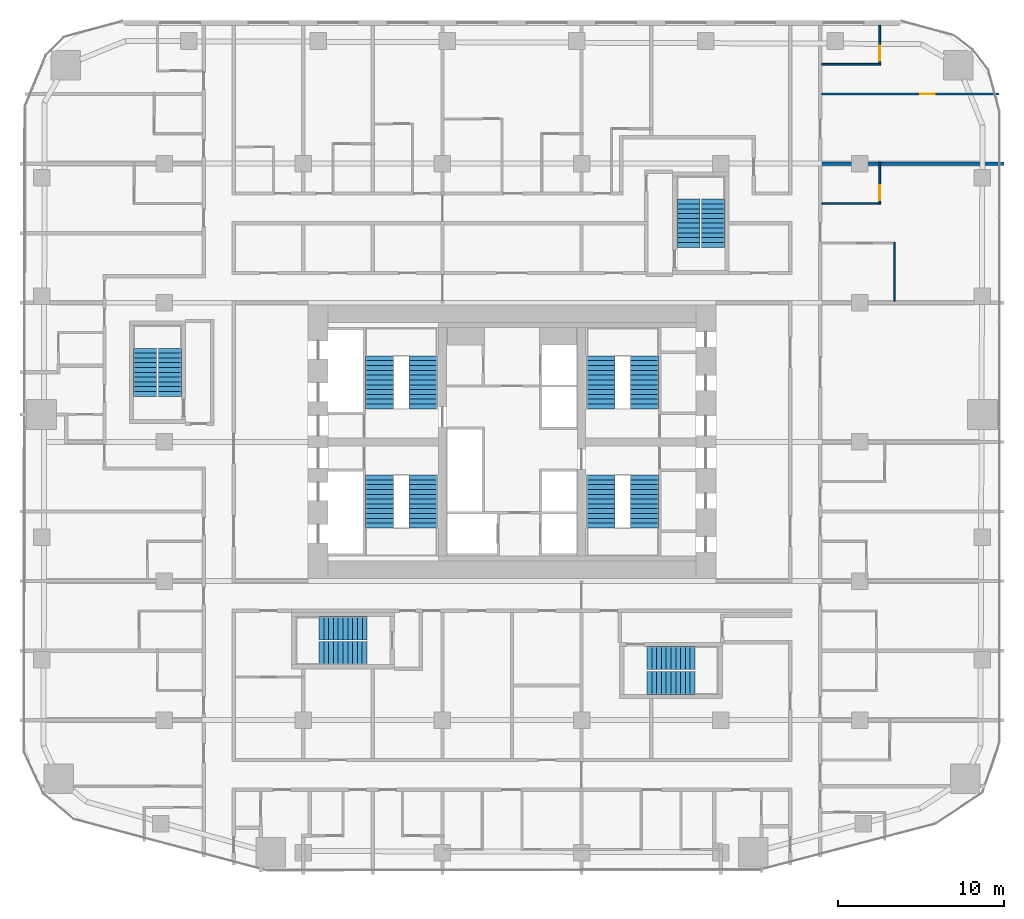
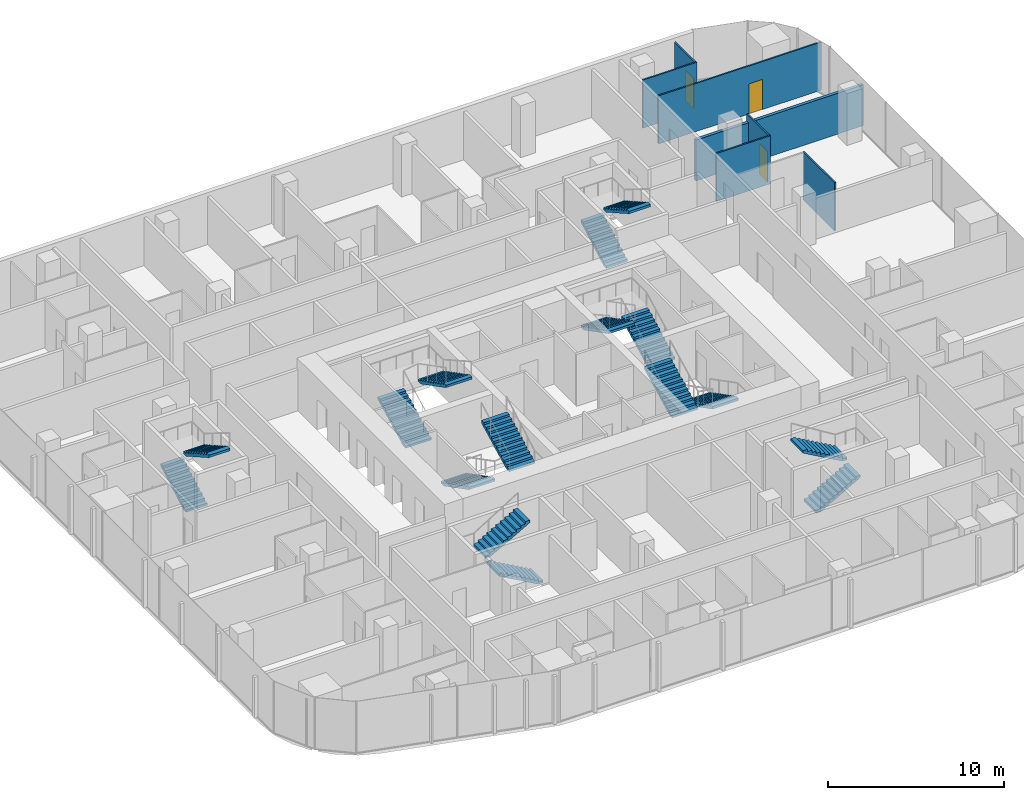
# One storey, part 24 of 26: 16 stair flights, 7 walls, 3 doors, 3 openings, 8 elements without a shape of their own.
"""IFC4 building model written with IfcOpenShell, lengths in metres."""

from ifc_helpers import new_model, si_unit, direction, frame, frame_2d, origin, place, context, subcontext, project, spatial, polyline, rectangle, outline, extrude, material, layer, layer_set, type_object, element, fill, aggregate, save


model = new_model("IFC4")

# Units and contexts
model_context = context("Model", 3, precision=1e-05, world=origin(), true_north=direction((0.0, 1.0)))
body_context = subcontext(model_context, "Body", "Model", "MODEL_VIEW")
ifc_project = project(units=[si_unit("LENGTHUNIT", "METRE"), si_unit("AREAUNIT", "SQUARE_METRE"), si_unit("VOLUMEUNIT", "CUBIC_METRE"), si_unit("PLANEANGLEUNIT", "RADIAN"), si_unit("MASSUNIT", "GRAM", prefix="KILO")], contexts=[model_context])

# Site, building, storey
site_placement = place(None, origin())
site = spatial("IfcSite", under=ifc_project, at=site_placement, CompositionType="ELEMENT")
building_placement = place(site_placement, origin())
building = spatial("IfcBuilding", under=site, at=building_placement, Name="Marenta Gate Hotel Tower", CompositionType="ELEMENT")
storey_placement = place(building_placement, frame((0.0, 0.0, 58.10009765625)))
storey = spatial("IfcBuildingStorey", under=building, at=storey_placement, Name="L12", CompositionType="ELEMENT", Elevation=58.10009765625)

# Wall
ifc_material_1 = material(Name="Gypsum board on steel stud", Category="steel")
ifc_layer_1 = layer(ifc_material_1, 0.10009765625)
ifc_layer_set_1 = layer_set([ifc_layer_1], Name="Gypsum board on steel stud")
wall_type_1 = type_object("IfcWallType", Name="Room partition 100", PredefinedType="PARTITIONING", material=ifc_layer_set_1)
wall_1_placement = place(storey_placement, frame((23.10009765625, 16.89990234375, 0.0), z_axis=(0.0, 0.0, 1.0), x_axis=(0.0, 1.0, 0.0)))
element("IfcWall", 1, at=wall_1_placement, inside=storey, type_object=wall_type_1, Name="L12-PTN-W001", PredefinedType="PARTITIONING", context=body_context, shape_type="SweptSolid", body=[
    extrude(rectangle(XDim=3.550048828125, YDim=0.10009765625, at=frame_2d((1.77490234375, 0.0))), origin(), (0.0, 0.0, 1.0), 3.33984375),
])

# Wall, opening, door
wall_2_placement = place(storey_placement, frame((22.199951171875, 22.85009765625, 0.0), z_axis=(0.0, 0.0, 1.0), x_axis=(0.0, 1.0, 0.0)))
wall_2 = element("IfcWall", 2, at=wall_2_placement, inside=storey, type_object=wall_type_1, Name="L12-PTN-W005", PredefinedType="PARTITIONING", context=body_context, shape_type="SweptSolid", body=[
    extrude(rectangle(XDim=2.449951171875, YDim=0.10009765625, at=frame_2d((1.22509765625, 0.0))), origin(), (0.0, 0.0, 1.0), 3.33984375),
])
opening_1_placement = place(wall_2_placement, frame((0.14990234375, 0.0, 0.0)))
opening_1 = element("IfcOpeningElement", 3, at=opening_1_placement, cuts=wall_2, Name="Opening G04-25", PredefinedType="OPENING", context=body_context, shape_type="SweptSolid", body=[
    extrude(rectangle(XDim=0.89990234375, YDim=2.10009765625, at=frame_2d((0.449951171875, 1.050048828125))), frame((0.0, 0.050048828125, 0.0), z_axis=(0.0, -1.0, 0.0), x_axis=(1.0, 0.0, 0.0)), (0.0, 0.0, 1.0), 0.10009765625),
])
ifc_material_2 = material(Name="Timber door leaf", Category="wood")
door_type_1 = type_object("IfcDoorType", Name="Room inner door 900x2100", OperationType="NOTDEFINED", PredefinedType="DOOR", material=ifc_material_2)
door_1_placement = place(opening_1_placement, origin())
door_1 = element("IfcDoor", 4, at=door_1_placement, inside=storey, type_object=door_type_1, Name="L12-PD-D025", OperationType="SINGLE_SWING_LEFT", OverallHeight=2.10009765625, OverallWidth=0.89990234375, PredefinedType="DOOR", context=body_context, shape_type="SweptSolid", body=[
    extrude(rectangle(XDim=0.89990234375, YDim=2.10009765625, at=frame_2d((0.449951171875, 1.050048828125))), frame((0.0, 0.02490234375, 0.0), z_axis=(0.0, -1.0, 0.0), x_axis=(1.0, 0.0, 0.0)), (0.0, 0.0, 1.0), 0.050048828125),
])
fill(opening_1, door_1)

wall_3_placement = place(storey_placement, frame((22.199951171875, 31.25, 0.0), z_axis=(0.0, 0.0, 1.0), x_axis=(0.0, 1.0, 0.0)))
wall_3 = element("IfcWall", 5, at=wall_3_placement, inside=storey, type_object=wall_type_1, Name="L12-PTN-W006", PredefinedType="PARTITIONING", context=body_context, shape_type="SweptSolid", body=[
    extrude(rectangle(XDim=2.2900390625, YDim=0.10009765625, at=frame_2d((1.14501953125, 0.0))), origin(), (0.0, 0.0, 1.0), 3.33984375),
])
opening_2_placement = place(wall_3_placement, frame((0.14990234375, 0.0, 0.0)))
opening_2 = element("IfcOpeningElement", 6, at=opening_2_placement, cuts=wall_3, Name="Opening G04-28", PredefinedType="OPENING", context=body_context, shape_type="SweptSolid", body=[
    extrude(rectangle(XDim=0.89990234375, YDim=2.10009765625, at=frame_2d((0.449951171875, 1.050048828125))), frame((0.0, 0.050048828125, 0.0), z_axis=(0.0, -1.0, 0.0), x_axis=(1.0, 0.0, 0.0)), (0.0, 0.0, 1.0), 0.10009765625),
])
ifc_material_3 = material(Name="Timber door leaf", Category="wood")
door_type_2 = type_object("IfcDoorType", Name="Guest bathroom door 900x2100", OperationType="NOTDEFINED", PredefinedType="DOOR", material=ifc_material_3)
door_2_placement = place(opening_2_placement, origin())
door_2 = element("IfcDoor", 7, at=door_2_placement, inside=storey, type_object=door_type_2, Name="L12-PD-D028", OperationType="SINGLE_SWING_LEFT", OverallHeight=2.10009765625, OverallWidth=0.89990234375, PredefinedType="DOOR", context=body_context, shape_type="SweptSolid", body=[
    extrude(rectangle(XDim=0.89990234375, YDim=2.10009765625, at=frame_2d((0.449951171875, 1.050048828125))), frame((0.0, 0.02490234375, 0.0), z_axis=(0.0, -1.0, 0.0), x_axis=(1.0, 0.0, 0.0)), (0.0, 0.0, 1.0), 0.050048828125),
])
fill(opening_2, door_2)

# Wall
wall_4_placement = place(storey_placement, frame((18.699951171875, 22.800048828125, 0.0), z_axis=(0.0, 0.0, 1.0), x_axis=(1.0, 0.0, 0.0)))
element("IfcWall", 8, at=wall_4_placement, inside=storey, type_object=wall_type_1, Name="L12-PTN-W134", PredefinedType="PARTITIONING", context=body_context, shape_type="SweptSolid", body=[
    extrude(rectangle(XDim=3.550048828125, YDim=0.10009765625, at=frame_2d((1.77490234375, 0.0))), origin(), (0.0, 0.0, 1.0), 3.33984375),
])

# Wall, opening, door
wall_5_placement = place(storey_placement, frame((18.699951171875, 29.39990234375, 0.0), z_axis=(0.0, 0.0, 1.0), x_axis=(1.0, 0.0, 0.0)))
wall_5 = element("IfcWall", 9, at=wall_5_placement, inside=storey, type_object=wall_type_1, Name="L12-PTN-W153", PredefinedType="PARTITIONING", context=body_context, shape_type="SweptSolid", body=[
    extrude(rectangle(XDim=10.693115234375, YDim=0.10009765625, at=frame_2d((5.3466796875, 0.0))), origin(), (0.0, 0.0, 1.0), 3.33984375),
])
opening_3_placement = place(wall_5_placement, frame((5.929931640625, 0.0, 0.0)))
opening_3 = element("IfcOpeningElement", 10, at=opening_3_placement, cuts=wall_5, Name="Opening G04-27", PredefinedType="OPENING", context=body_context, shape_type="SweptSolid", body=[
    extrude(rectangle(XDim=0.89990234375, YDim=2.10009765625, at=frame_2d((0.449951171875, 1.050048828125))), frame((0.0, 0.050048828125, 0.0), z_axis=(0.0, -1.0, 0.0), x_axis=(1.0, 0.0, 0.0)), (0.0, 0.0, 1.0), 0.10009765625),
])
door_3_placement = place(opening_3_placement, origin())
door_3 = element("IfcDoor", 11, at=door_3_placement, inside=storey, type_object=door_type_1, Name="L12-PD-D027", OperationType="SINGLE_SWING_RIGHT", OverallHeight=2.10009765625, OverallWidth=0.89990234375, PredefinedType="DOOR", context=body_context, shape_type="SweptSolid", body=[
    extrude(rectangle(XDim=0.89990234375, YDim=2.10009765625, at=frame_2d((0.449951171875, 1.050048828125))), frame((0.0, 0.02490234375, 0.0), z_axis=(0.0, -1.0, 0.0), x_axis=(1.0, 0.0, 0.0)), (0.0, 0.0, 1.0), 0.050048828125),
])
fill(opening_3, door_3)

# Walls
wall_6_placement = place(storey_placement, frame((18.699951171875, 31.199951171875, 0.0), z_axis=(0.0, 0.0, 1.0), x_axis=(1.0, 0.0, 0.0)))
element("IfcWall", 12, at=wall_6_placement, inside=storey, type_object=wall_type_1, Name="L12-PTN-W155", PredefinedType="PARTITIONING", context=body_context, shape_type="SweptSolid", body=[
    extrude(rectangle(XDim=3.550048828125, YDim=0.10009765625, at=frame_2d((1.77490234375, 0.0))), origin(), (0.0, 0.0, 1.0), 3.33984375),
])
ifc_material_4 = material(Name="Gypsum board on steel stud", Category="steel")
ifc_layer_2 = layer(ifc_material_4, 0.199951171875)
ifc_layer_set_2 = layer_set([ifc_layer_2], Name="Gypsum board on steel stud")
wall_type_2 = type_object("IfcWallType", Name="Room party wall 200 EI 60", PredefinedType="PARTITIONING", material=ifc_layer_set_2)
wall_7_placement = place(storey_placement, frame((18.699951171875, 25.199951171875, 0.0), z_axis=(0.0, 0.0, 1.0), x_axis=(1.0, 0.0, 0.0)))
element("IfcWall", 13, at=wall_7_placement, inside=storey, type_object=wall_type_2, Name="L12-PTN-W140", PredefinedType="PARTITIONING", context=body_context, shape_type="SweptSolid", body=[
    extrude(rectangle(XDim=11.0, YDim=0.199951171875, at=frame_2d((5.5, 0.0))), origin(), (0.0, 0.0, 1.0), 2.83984375),
])

# Stair, stair flights
ifc_material_5 = material(Name="Concrete C40", Category="concrete")
stair_type_1 = type_object("IfcStairType", Name="Core exit stair 1700 wide", PredefinedType="HALF_TURN_STAIR", material=ifc_material_5)
stair_1_placement = place(storey_placement, origin())
stair_1 = element("IfcStair", 14, at=stair_1_placement, inside=storey, type_object=stair_type_1, Name="Exit stair 1", PredefinedType="HALF_TURN_STAIR")
ifc_material_6 = material(Name="Concrete C40", Category="concrete")
stair_flight_type_1 = type_object("IfcStairFlightType", Name="Core stair flight 1700 riser 150.0 going 290", PredefinedType="STRAIGHT", material=ifc_material_6)
stair_flight_1_placement = place(storey_placement, frame((-8.0, 6.39990234375, 0.0), z_axis=(0.0, 0.0, 1.0), x_axis=(0.0, -1.0, 0.0)))
stair_flight_1 = element("IfcStairFlight", 15, at=stair_flight_1_placement, type_object=stair_flight_type_1, Name="ST1 flight 1", NumberOfRisers=12, NumberOfTreads=11, PredefinedType="STRAIGHT", RiserHeight=0.15, TreadLength=0.29, context=body_context, shape_type="SweptSolid", body=[
    extrude(outline(polyline([(0.0, 0.0), (0.0, 0.14990234375), (0.2900390625, 0.14990234375), (0.2900390625, 0.300048828125), (0.580078125, 0.300048828125), (0.580078125, 0.449951171875), (0.8701171875, 0.449951171875), (0.8701171875, 0.60009765625), (1.159912109375, 0.60009765625), (1.159912109375, 0.75), (1.449951171875, 0.75), (1.449951171875, 0.89990234375), (1.739990234375, 0.89990234375), (1.739990234375, 1.050048828125), (2.030029296875, 1.050048828125), (2.030029296875, 1.199951171875), (2.320068359375, 1.199951171875), (2.320068359375, 1.35009765625), (2.610107421875, 1.35009765625), (2.610107421875, 1.5), (2.89990234375, 1.5), (2.89990234375, 1.64990234375), (3.18994140625, 1.64990234375), (3.18994140625, 1.800048828125), (3.18994140625, 1.481201171875), (0.326171875, 0.0), (0.0, 0.0)])), frame((0.0, 0.85009765625, 0.0), z_axis=(0.0, -1.0, 0.0), x_axis=(1.0, 0.0, 0.0)), (0.0, 0.0, 1.0), 1.699951171875),
])
stair_flight_2_placement = place(storey_placement, frame((-5.35009765625, 3.2099609375, 1.7998046875), z_axis=(0.0, 0.0, 1.0), x_axis=(0.0, 1.0, 0.0)))
stair_flight_2 = element("IfcStairFlight", 16, at=stair_flight_2_placement, type_object=stair_flight_type_1, Name="ST1 flight 2", NumberOfRisers=12, NumberOfTreads=11, PredefinedType="STRAIGHT", RiserHeight=0.15, TreadLength=0.29, context=body_context, shape_type="SweptSolid", body=[
    extrude(outline(polyline([(0.0, 0.0), (0.0, 0.14990234375), (0.2900390625, 0.14990234375), (0.2900390625, 0.300048828125), (0.580078125, 0.300048828125), (0.580078125, 0.449951171875), (0.8701171875, 0.449951171875), (0.8701171875, 0.60009765625), (1.159912109375, 0.60009765625), (1.159912109375, 0.75), (1.449951171875, 0.75), (1.449951171875, 0.89990234375), (1.739990234375, 0.89990234375), (1.739990234375, 1.050048828125), (2.030029296875, 1.050048828125), (2.030029296875, 1.199951171875), (2.320068359375, 1.199951171875), (2.320068359375, 1.35009765625), (2.610107421875, 1.35009765625), (2.610107421875, 1.5), (2.89990234375, 1.5), (2.89990234375, 1.64990234375), (3.18994140625, 1.64990234375), (3.18994140625, 1.800048828125), (3.18994140625, 1.481201171875), (0.326171875, 0.0), (0.0, 0.0)])), frame((0.0, 0.85009765625, 0.0), z_axis=(0.0, -1.0, 0.0), x_axis=(1.0, 0.0, 0.0)), (0.0, 0.0, 1.0), 1.699951171875),
])
aggregate(stair_1, [stair_flight_1, stair_flight_2])

stair_2_placement = place(storey_placement, origin())
stair_2 = element("IfcStair", 17, at=stair_2_placement, inside=storey, type_object=stair_type_1, Name="Exit stair 2", PredefinedType="HALF_TURN_STAIR")
stair_flight_3_placement = place(storey_placement, frame((-8.0, 10.39990234375, 0.0), z_axis=(0.0, 0.0, 1.0), x_axis=(0.0, 1.0, 0.0)))
stair_flight_3 = element("IfcStairFlight", 18, at=stair_flight_3_placement, type_object=stair_flight_type_1, Name="ST2 flight 1", NumberOfRisers=12, NumberOfTreads=11, PredefinedType="STRAIGHT", RiserHeight=0.15, TreadLength=0.29, context=body_context, shape_type="SweptSolid", body=[
    extrude(outline(polyline([(0.0, 0.0), (0.0, 0.14990234375), (0.2900390625, 0.14990234375), (0.2900390625, 0.300048828125), (0.580078125, 0.300048828125), (0.580078125, 0.449951171875), (0.8701171875, 0.449951171875), (0.8701171875, 0.60009765625), (1.159912109375, 0.60009765625), (1.159912109375, 0.75), (1.449951171875, 0.75), (1.449951171875, 0.89990234375), (1.739990234375, 0.89990234375), (1.739990234375, 1.050048828125), (2.030029296875, 1.050048828125), (2.030029296875, 1.199951171875), (2.320068359375, 1.199951171875), (2.320068359375, 1.35009765625), (2.610107421875, 1.35009765625), (2.610107421875, 1.5), (2.89990234375, 1.5), (2.89990234375, 1.64990234375), (3.18994140625, 1.64990234375), (3.18994140625, 1.800048828125), (3.18994140625, 1.481201171875), (0.326171875, 0.0), (0.0, 0.0)])), frame((0.0, 0.85009765625, 0.0), z_axis=(0.0, -1.0, 0.0), x_axis=(1.0, 0.0, 0.0)), (0.0, 0.0, 1.0), 1.699951171875),
])
stair_flight_4_placement = place(storey_placement, frame((-5.35009765625, 13.590087890625, 1.7998046875), z_axis=(0.0, 0.0, 1.0), x_axis=(0.0, -1.0, 0.0)))
stair_flight_4 = element("IfcStairFlight", 19, at=stair_flight_4_placement, type_object=stair_flight_type_1, Name="ST2 flight 2", NumberOfRisers=12, NumberOfTreads=11, PredefinedType="STRAIGHT", RiserHeight=0.15, TreadLength=0.29, context=body_context, shape_type="SweptSolid", body=[
    extrude(outline(polyline([(0.0, 0.0), (0.0, 0.14990234375), (0.2900390625, 0.14990234375), (0.2900390625, 0.300048828125), (0.580078125, 0.300048828125), (0.580078125, 0.449951171875), (0.8701171875, 0.449951171875), (0.8701171875, 0.60009765625), (1.159912109375, 0.60009765625), (1.159912109375, 0.75), (1.449951171875, 0.75), (1.449951171875, 0.89990234375), (1.739990234375, 0.89990234375), (1.739990234375, 1.050048828125), (2.030029296875, 1.050048828125), (2.030029296875, 1.199951171875), (2.320068359375, 1.199951171875), (2.320068359375, 1.35009765625), (2.610107421875, 1.35009765625), (2.610107421875, 1.5), (2.89990234375, 1.5), (2.89990234375, 1.64990234375), (3.18994140625, 1.64990234375), (3.18994140625, 1.800048828125), (3.18994140625, 1.481201171875), (0.326171875, 0.0), (0.0, 0.0)])), frame((0.0, 0.85009765625, 0.0), z_axis=(0.0, -1.0, 0.0), x_axis=(1.0, 0.0, 0.0)), (0.0, 0.0, 1.0), 1.699951171875),
])
aggregate(stair_2, [stair_flight_3, stair_flight_4])

stair_3_placement = place(storey_placement, origin())
stair_3 = element("IfcStair", 20, at=stair_3_placement, inside=storey, type_object=stair_type_1, Name="Exit stair 3", PredefinedType="HALF_TURN_STAIR")
stair_flight_5_placement = place(storey_placement, frame((8.0, 6.39990234375, 0.0), z_axis=(0.0, 0.0, 1.0), x_axis=(0.0, -1.0, 0.0)))
stair_flight_5 = element("IfcStairFlight", 21, at=stair_flight_5_placement, type_object=stair_flight_type_1, Name="ST3 flight 1", NumberOfRisers=12, NumberOfTreads=11, PredefinedType="STRAIGHT", RiserHeight=0.15, TreadLength=0.29, context=body_context, shape_type="SweptSolid", body=[
    extrude(outline(polyline([(0.0, 0.0), (0.0, 0.14990234375), (0.2900390625, 0.14990234375), (0.2900390625, 0.300048828125), (0.580078125, 0.300048828125), (0.580078125, 0.449951171875), (0.8701171875, 0.449951171875), (0.8701171875, 0.60009765625), (1.159912109375, 0.60009765625), (1.159912109375, 0.75), (1.449951171875, 0.75), (1.449951171875, 0.89990234375), (1.739990234375, 0.89990234375), (1.739990234375, 1.050048828125), (2.030029296875, 1.050048828125), (2.030029296875, 1.199951171875), (2.320068359375, 1.199951171875), (2.320068359375, 1.35009765625), (2.610107421875, 1.35009765625), (2.610107421875, 1.5), (2.89990234375, 1.5), (2.89990234375, 1.64990234375), (3.18994140625, 1.64990234375), (3.18994140625, 1.800048828125), (3.18994140625, 1.481201171875), (0.326171875, 0.0), (0.0, 0.0)])), frame((0.0, 0.85009765625, 0.0), z_axis=(0.0, -1.0, 0.0), x_axis=(1.0, 0.0, 0.0)), (0.0, 0.0, 1.0), 1.699951171875),
])
stair_flight_6_placement = place(storey_placement, frame((5.35009765625, 3.2099609375, 1.7998046875), z_axis=(0.0, 0.0, 1.0), x_axis=(0.0, 1.0, 0.0)))
stair_flight_6 = element("IfcStairFlight", 22, at=stair_flight_6_placement, type_object=stair_flight_type_1, Name="ST3 flight 2", NumberOfRisers=12, NumberOfTreads=11, PredefinedType="STRAIGHT", RiserHeight=0.15, TreadLength=0.29, context=body_context, shape_type="SweptSolid", body=[
    extrude(outline(polyline([(0.0, 0.0), (0.0, 0.14990234375), (0.2900390625, 0.14990234375), (0.2900390625, 0.300048828125), (0.580078125, 0.300048828125), (0.580078125, 0.449951171875), (0.8701171875, 0.449951171875), (0.8701171875, 0.60009765625), (1.159912109375, 0.60009765625), (1.159912109375, 0.75), (1.449951171875, 0.75), (1.449951171875, 0.89990234375), (1.739990234375, 0.89990234375), (1.739990234375, 1.050048828125), (2.030029296875, 1.050048828125), (2.030029296875, 1.199951171875), (2.320068359375, 1.199951171875), (2.320068359375, 1.35009765625), (2.610107421875, 1.35009765625), (2.610107421875, 1.5), (2.89990234375, 1.5), (2.89990234375, 1.64990234375), (3.18994140625, 1.64990234375), (3.18994140625, 1.800048828125), (3.18994140625, 1.481201171875), (0.326171875, 0.0), (0.0, 0.0)])), frame((0.0, 0.85009765625, 0.0), z_axis=(0.0, -1.0, 0.0), x_axis=(1.0, 0.0, 0.0)), (0.0, 0.0, 1.0), 1.699951171875),
])
aggregate(stair_3, [stair_flight_5, stair_flight_6])

stair_4_placement = place(storey_placement, origin())
stair_4 = element("IfcStair", 23, at=stair_4_placement, inside=storey, type_object=stair_type_1, Name="Exit stair 4", PredefinedType="HALF_TURN_STAIR")
stair_flight_7_placement = place(storey_placement, frame((8.0, 10.39990234375, 0.0), z_axis=(0.0, 0.0, 1.0), x_axis=(0.0, 1.0, 0.0)))
stair_flight_7 = element("IfcStairFlight", 24, at=stair_flight_7_placement, type_object=stair_flight_type_1, Name="ST4 flight 1", NumberOfRisers=12, NumberOfTreads=11, PredefinedType="STRAIGHT", RiserHeight=0.15, TreadLength=0.29, context=body_context, shape_type="SweptSolid", body=[
    extrude(outline(polyline([(0.0, 0.0), (0.0, 0.14990234375), (0.2900390625, 0.14990234375), (0.2900390625, 0.300048828125), (0.580078125, 0.300048828125), (0.580078125, 0.449951171875), (0.8701171875, 0.449951171875), (0.8701171875, 0.60009765625), (1.159912109375, 0.60009765625), (1.159912109375, 0.75), (1.449951171875, 0.75), (1.449951171875, 0.89990234375), (1.739990234375, 0.89990234375), (1.739990234375, 1.050048828125), (2.030029296875, 1.050048828125), (2.030029296875, 1.199951171875), (2.320068359375, 1.199951171875), (2.320068359375, 1.35009765625), (2.610107421875, 1.35009765625), (2.610107421875, 1.5), (2.89990234375, 1.5), (2.89990234375, 1.64990234375), (3.18994140625, 1.64990234375), (3.18994140625, 1.800048828125), (3.18994140625, 1.481201171875), (0.326171875, 0.0), (0.0, 0.0)])), frame((0.0, 0.85009765625, 0.0), z_axis=(0.0, -1.0, 0.0), x_axis=(1.0, 0.0, 0.0)), (0.0, 0.0, 1.0), 1.699951171875),
])
stair_flight_8_placement = place(storey_placement, frame((5.35009765625, 13.590087890625, 1.7998046875), z_axis=(0.0, 0.0, 1.0), x_axis=(0.0, -1.0, 0.0)))
stair_flight_8 = element("IfcStairFlight", 25, at=stair_flight_8_placement, type_object=stair_flight_type_1, Name="ST4 flight 2", NumberOfRisers=12, NumberOfTreads=11, PredefinedType="STRAIGHT", RiserHeight=0.15, TreadLength=0.29, context=body_context, shape_type="SweptSolid", body=[
    extrude(outline(polyline([(0.0, 0.0), (0.0, 0.14990234375), (0.2900390625, 0.14990234375), (0.2900390625, 0.300048828125), (0.580078125, 0.300048828125), (0.580078125, 0.449951171875), (0.8701171875, 0.449951171875), (0.8701171875, 0.60009765625), (1.159912109375, 0.60009765625), (1.159912109375, 0.75), (1.449951171875, 0.75), (1.449951171875, 0.89990234375), (1.739990234375, 0.89990234375), (1.739990234375, 1.050048828125), (2.030029296875, 1.050048828125), (2.030029296875, 1.199951171875), (2.320068359375, 1.199951171875), (2.320068359375, 1.35009765625), (2.610107421875, 1.35009765625), (2.610107421875, 1.5), (2.89990234375, 1.5), (2.89990234375, 1.64990234375), (3.18994140625, 1.64990234375), (3.18994140625, 1.800048828125), (3.18994140625, 1.481201171875), (0.326171875, 0.0), (0.0, 0.0)])), frame((0.0, 0.85009765625, 0.0), z_axis=(0.0, -1.0, 0.0), x_axis=(1.0, 0.0, 0.0)), (0.0, 0.0, 1.0), 1.699951171875),
])
aggregate(stair_4, [stair_flight_7, stair_flight_8])

ifc_material_7 = material(Name="Concrete C40", Category="concrete")
stair_type_2 = type_object("IfcStairType", Name="Remote exit stair 1400 wide", PredefinedType="HALF_TURN_STAIR", material=ifc_material_7)
stair_5_placement = place(storey_placement, origin())
stair_5 = element("IfcStair", 26, at=stair_5_placement, inside=storey, type_object=stair_type_2, Name="Exit stair RS-Z1-1", PredefinedType="HALF_TURN_STAIR")
ifc_material_8 = material(Name="Concrete C40", Category="concrete")
stair_flight_type_2 = type_object("IfcStairFlightType", Name="Remote stair flight 1400 riser 163.6 going 290", PredefinedType="STRAIGHT", material=ifc_material_8)
stair_flight_9_placement = place(storey_placement, frame((8.14990234375, -6.14990234375, 0.0), z_axis=(0.0, 0.0, 1.0), x_axis=(1.0, 0.0, 0.0)))
stair_flight_9 = element("IfcStairFlight", 27, at=stair_flight_9_placement, type_object=stair_flight_type_2, Name="RS-Z1-1 flight 1", NumberOfRisers=11, NumberOfTreads=10, PredefinedType="STRAIGHT", RiserHeight=0.163636, TreadLength=0.29, context=body_context, shape_type="SweptSolid", body=[
    extrude(outline(polyline([(0.0, 0.0), (0.0, 0.16357421875), (0.2900390625, 0.16357421875), (0.2900390625, 0.327392578125), (0.580078125, 0.327392578125), (0.580078125, 0.490966796875), (0.8701171875, 0.490966796875), (0.8701171875, 0.654541015625), (1.159912109375, 0.654541015625), (1.159912109375, 0.818115234375), (1.449951171875, 0.818115234375), (1.449951171875, 0.98193359375), (1.739990234375, 0.98193359375), (1.739990234375, 1.1455078125), (2.030029296875, 1.1455078125), (2.030029296875, 1.30908203125), (2.320068359375, 1.30908203125), (2.320068359375, 1.47265625), (2.610107421875, 1.47265625), (2.610107421875, 1.636474609375), (2.89990234375, 1.636474609375), (2.89990234375, 1.800048828125), (2.89990234375, 1.46435546875), (0.304931640625, 0.0), (0.0, 0.0)])), frame((0.0, 0.699951171875, 0.0), z_axis=(0.0, -1.0, 0.0), x_axis=(1.0, 0.0, 0.0)), (0.0, 0.0, 1.0), 1.39990234375),
])
stair_flight_10_placement = place(storey_placement, frame((11.050048828125, -4.64990234375, 1.7998046875), z_axis=(0.0, 0.0, 1.0), x_axis=(-1.0, 0.0, 0.0)))
stair_flight_10 = element("IfcStairFlight", 28, at=stair_flight_10_placement, type_object=stair_flight_type_2, Name="RS-Z1-1 flight 2", NumberOfRisers=11, NumberOfTreads=10, PredefinedType="STRAIGHT", RiserHeight=0.163636, TreadLength=0.29, context=body_context, shape_type="SweptSolid", body=[
    extrude(outline(polyline([(0.0, 0.0), (0.0, 0.16357421875), (0.2900390625, 0.16357421875), (0.2900390625, 0.327392578125), (0.580078125, 0.327392578125), (0.580078125, 0.490966796875), (0.8701171875, 0.490966796875), (0.8701171875, 0.654541015625), (1.159912109375, 0.654541015625), (1.159912109375, 0.818115234375), (1.449951171875, 0.818115234375), (1.449951171875, 0.98193359375), (1.739990234375, 0.98193359375), (1.739990234375, 1.1455078125), (2.030029296875, 1.1455078125), (2.030029296875, 1.30908203125), (2.320068359375, 1.30908203125), (2.320068359375, 1.47265625), (2.610107421875, 1.47265625), (2.610107421875, 1.636474609375), (2.89990234375, 1.636474609375), (2.89990234375, 1.800048828125), (2.89990234375, 1.46435546875), (0.304931640625, 0.0), (0.0, 0.0)])), frame((0.0, 0.699951171875, 0.0), z_axis=(0.0, -1.0, 0.0), x_axis=(1.0, 0.0, 0.0)), (0.0, 0.0, 1.0), 1.39990234375),
])
aggregate(stair_5, [stair_flight_9, stair_flight_10])

stair_6_placement = place(storey_placement, origin())
stair_6 = element("IfcStair", 29, at=stair_6_placement, inside=storey, type_object=stair_type_2, Name="Exit stair RS-Z1-2", PredefinedType="HALF_TURN_STAIR")
stair_flight_11_placement = place(storey_placement, frame((-8.75, -4.35009765625, 0.0), z_axis=(0.0, 0.0, 1.0), x_axis=(-1.0, 0.0, 0.0)))
stair_flight_11 = element("IfcStairFlight", 30, at=stair_flight_11_placement, type_object=stair_flight_type_2, Name="RS-Z1-2 flight 1", NumberOfRisers=11, NumberOfTreads=10, PredefinedType="STRAIGHT", RiserHeight=0.163636, TreadLength=0.29, context=body_context, shape_type="SweptSolid", body=[
    extrude(outline(polyline([(0.0, 0.0), (0.0, 0.16357421875), (0.2900390625, 0.16357421875), (0.2900390625, 0.327392578125), (0.580078125, 0.327392578125), (0.580078125, 0.490966796875), (0.8701171875, 0.490966796875), (0.8701171875, 0.654541015625), (1.159912109375, 0.654541015625), (1.159912109375, 0.818115234375), (1.449951171875, 0.818115234375), (1.449951171875, 0.98193359375), (1.739990234375, 0.98193359375), (1.739990234375, 1.1455078125), (2.030029296875, 1.1455078125), (2.030029296875, 1.30908203125), (2.320068359375, 1.30908203125), (2.320068359375, 1.47265625), (2.610107421875, 1.47265625), (2.610107421875, 1.636474609375), (2.89990234375, 1.636474609375), (2.89990234375, 1.800048828125), (2.89990234375, 1.46435546875), (0.304931640625, 0.0), (0.0, 0.0)])), frame((0.0, 0.699951171875, 0.0), z_axis=(0.0, -1.0, 0.0), x_axis=(1.0, 0.0, 0.0)), (0.0, 0.0, 1.0), 1.39990234375),
])
stair_flight_12_placement = place(storey_placement, frame((-11.64990234375, -2.85009765625, 1.7998046875), z_axis=(0.0, 0.0, 1.0), x_axis=(1.0, 0.0, 0.0)))
stair_flight_12 = element("IfcStairFlight", 31, at=stair_flight_12_placement, type_object=stair_flight_type_2, Name="RS-Z1-2 flight 2", NumberOfRisers=11, NumberOfTreads=10, PredefinedType="STRAIGHT", RiserHeight=0.163636, TreadLength=0.29, context=body_context, shape_type="SweptSolid", body=[
    extrude(outline(polyline([(0.0, 0.0), (0.0, 0.16357421875), (0.2900390625, 0.16357421875), (0.2900390625, 0.327392578125), (0.580078125, 0.327392578125), (0.580078125, 0.490966796875), (0.8701171875, 0.490966796875), (0.8701171875, 0.654541015625), (1.159912109375, 0.654541015625), (1.159912109375, 0.818115234375), (1.449951171875, 0.818115234375), (1.449951171875, 0.98193359375), (1.739990234375, 0.98193359375), (1.739990234375, 1.1455078125), (2.030029296875, 1.1455078125), (2.030029296875, 1.30908203125), (2.320068359375, 1.30908203125), (2.320068359375, 1.47265625), (2.610107421875, 1.47265625), (2.610107421875, 1.636474609375), (2.89990234375, 1.636474609375), (2.89990234375, 1.800048828125), (2.89990234375, 1.46435546875), (0.304931640625, 0.0), (0.0, 0.0)])), frame((0.0, 0.699951171875, 0.0), z_axis=(0.0, -1.0, 0.0), x_axis=(1.0, 0.0, 0.0)), (0.0, 0.0, 1.0), 1.39990234375),
])
aggregate(stair_6, [stair_flight_11, stair_flight_12])

stair_7_placement = place(storey_placement, origin())
stair_7 = element("IfcStair", 32, at=stair_7_placement, inside=storey, type_object=stair_type_2, Name="Exit stair RS-Z1-3", PredefinedType="HALF_TURN_STAIR")
stair_flight_13_placement = place(storey_placement, frame((-22.14990234375, 11.14990234375, 0.0), z_axis=(0.0, 0.0, 1.0), x_axis=(0.0, 1.0, 0.0)))
stair_flight_13 = element("IfcStairFlight", 33, at=stair_flight_13_placement, type_object=stair_flight_type_2, Name="RS-Z1-3 flight 1", NumberOfRisers=11, NumberOfTreads=10, PredefinedType="STRAIGHT", RiserHeight=0.163636, TreadLength=0.29, context=body_context, shape_type="SweptSolid", body=[
    extrude(outline(polyline([(0.0, 0.0), (0.0, 0.16357421875), (0.2900390625, 0.16357421875), (0.2900390625, 0.327392578125), (0.580078125, 0.327392578125), (0.580078125, 0.490966796875), (0.8701171875, 0.490966796875), (0.8701171875, 0.654541015625), (1.159912109375, 0.654541015625), (1.159912109375, 0.818115234375), (1.449951171875, 0.818115234375), (1.449951171875, 0.98193359375), (1.739990234375, 0.98193359375), (1.739990234375, 1.1455078125), (2.030029296875, 1.1455078125), (2.030029296875, 1.30908203125), (2.320068359375, 1.30908203125), (2.320068359375, 1.47265625), (2.610107421875, 1.47265625), (2.610107421875, 1.636474609375), (2.89990234375, 1.636474609375), (2.89990234375, 1.800048828125), (2.89990234375, 1.46435546875), (0.304931640625, 0.0), (0.0, 0.0)])), frame((0.0, 0.699951171875, 0.0), z_axis=(0.0, -1.0, 0.0), x_axis=(1.0, 0.0, 0.0)), (0.0, 0.0, 1.0), 1.39990234375),
])
stair_flight_14_placement = place(storey_placement, frame((-20.64990234375, 14.050048828125, 1.7998046875), z_axis=(0.0, 0.0, 1.0), x_axis=(0.0, -1.0, 0.0)))
stair_flight_14 = element("IfcStairFlight", 34, at=stair_flight_14_placement, type_object=stair_flight_type_2, Name="RS-Z1-3 flight 2", NumberOfRisers=11, NumberOfTreads=10, PredefinedType="STRAIGHT", RiserHeight=0.163636, TreadLength=0.29, context=body_context, shape_type="SweptSolid", body=[
    extrude(outline(polyline([(0.0, 0.0), (0.0, 0.16357421875), (0.2900390625, 0.16357421875), (0.2900390625, 0.327392578125), (0.580078125, 0.327392578125), (0.580078125, 0.490966796875), (0.8701171875, 0.490966796875), (0.8701171875, 0.654541015625), (1.159912109375, 0.654541015625), (1.159912109375, 0.818115234375), (1.449951171875, 0.818115234375), (1.449951171875, 0.98193359375), (1.739990234375, 0.98193359375), (1.739990234375, 1.1455078125), (2.030029296875, 1.1455078125), (2.030029296875, 1.30908203125), (2.320068359375, 1.30908203125), (2.320068359375, 1.47265625), (2.610107421875, 1.47265625), (2.610107421875, 1.636474609375), (2.89990234375, 1.636474609375), (2.89990234375, 1.800048828125), (2.89990234375, 1.46435546875), (0.304931640625, 0.0), (0.0, 0.0)])), frame((0.0, 0.699951171875, 0.0), z_axis=(0.0, -1.0, 0.0), x_axis=(1.0, 0.0, 0.0)), (0.0, 0.0, 1.0), 1.39990234375),
])
aggregate(stair_7, [stair_flight_13, stair_flight_14])

stair_8_placement = place(storey_placement, origin())
stair_8 = element("IfcStair", 35, at=stair_8_placement, inside=storey, type_object=stair_type_2, Name="Exit stair RS-Z1-4", PredefinedType="HALF_TURN_STAIR")
stair_flight_15_placement = place(storey_placement, frame((10.64990234375, 20.14990234375, 0.0), z_axis=(0.0, 0.0, 1.0), x_axis=(0.0, 1.0, 0.0)))
stair_flight_15 = element("IfcStairFlight", 36, at=stair_flight_15_placement, type_object=stair_flight_type_2, Name="RS-Z1-4 flight 1", NumberOfRisers=11, NumberOfTreads=10, PredefinedType="STRAIGHT", RiserHeight=0.163636, TreadLength=0.29, context=body_context, shape_type="SweptSolid", body=[
    extrude(outline(polyline([(0.0, 0.0), (0.0, 0.16357421875), (0.2900390625, 0.16357421875), (0.2900390625, 0.327392578125), (0.580078125, 0.327392578125), (0.580078125, 0.490966796875), (0.8701171875, 0.490966796875), (0.8701171875, 0.654541015625), (1.159912109375, 0.654541015625), (1.159912109375, 0.818115234375), (1.449951171875, 0.818115234375), (1.449951171875, 0.98193359375), (1.739990234375, 0.98193359375), (1.739990234375, 1.1455078125), (2.030029296875, 1.1455078125), (2.030029296875, 1.30908203125), (2.320068359375, 1.30908203125), (2.320068359375, 1.47265625), (2.610107421875, 1.47265625), (2.610107421875, 1.636474609375), (2.89990234375, 1.636474609375), (2.89990234375, 1.800048828125), (2.89990234375, 1.46435546875), (0.304931640625, 0.0), (0.0, 0.0)])), frame((0.0, 0.699951171875, 0.0), z_axis=(0.0, -1.0, 0.0), x_axis=(1.0, 0.0, 0.0)), (0.0, 0.0, 1.0), 1.39990234375),
])
stair_flight_16_placement = place(storey_placement, frame((12.14990234375, 23.050048828125, 1.7998046875), z_axis=(0.0, 0.0, 1.0), x_axis=(0.0, -1.0, 0.0)))
stair_flight_16 = element("IfcStairFlight", 37, at=stair_flight_16_placement, type_object=stair_flight_type_2, Name="RS-Z1-4 flight 2", NumberOfRisers=11, NumberOfTreads=10, PredefinedType="STRAIGHT", RiserHeight=0.163636, TreadLength=0.29, context=body_context, shape_type="SweptSolid", body=[
    extrude(outline(polyline([(0.0, 0.0), (0.0, 0.16357421875), (0.2900390625, 0.16357421875), (0.2900390625, 0.327392578125), (0.580078125, 0.327392578125), (0.580078125, 0.490966796875), (0.8701171875, 0.490966796875), (0.8701171875, 0.654541015625), (1.159912109375, 0.654541015625), (1.159912109375, 0.818115234375), (1.449951171875, 0.818115234375), (1.449951171875, 0.98193359375), (1.739990234375, 0.98193359375), (1.739990234375, 1.1455078125), (2.030029296875, 1.1455078125), (2.030029296875, 1.30908203125), (2.320068359375, 1.30908203125), (2.320068359375, 1.47265625), (2.610107421875, 1.47265625), (2.610107421875, 1.636474609375), (2.89990234375, 1.636474609375), (2.89990234375, 1.800048828125), (2.89990234375, 1.46435546875), (0.304931640625, 0.0), (0.0, 0.0)])), frame((0.0, 0.699951171875, 0.0), z_axis=(0.0, -1.0, 0.0), x_axis=(1.0, 0.0, 0.0)), (0.0, 0.0, 1.0), 1.39990234375),
])
aggregate(stair_8, [stair_flight_15, stair_flight_16])

save(model, "model.ifc")
